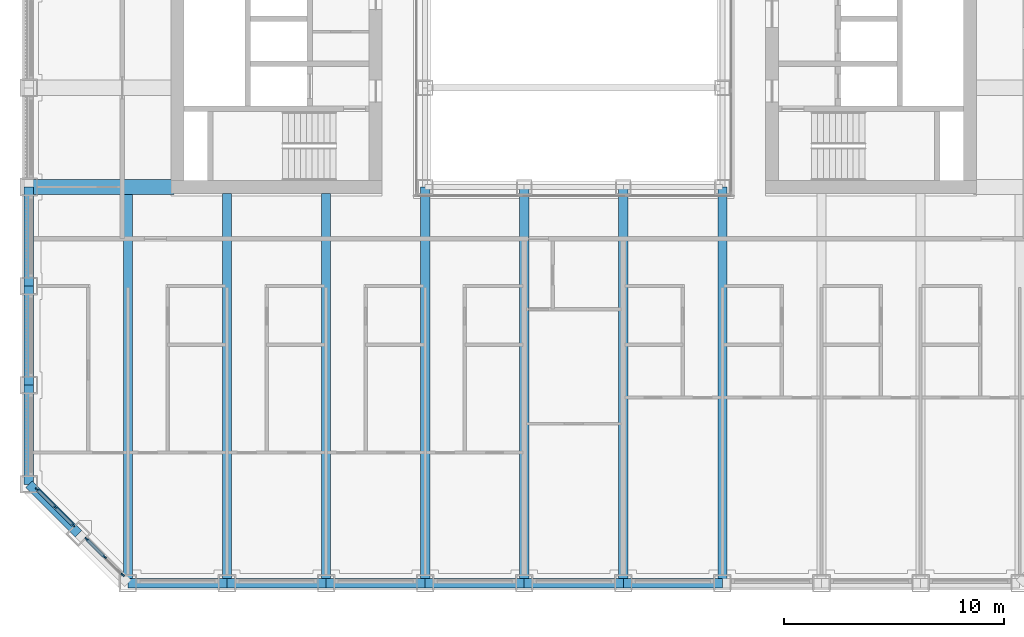
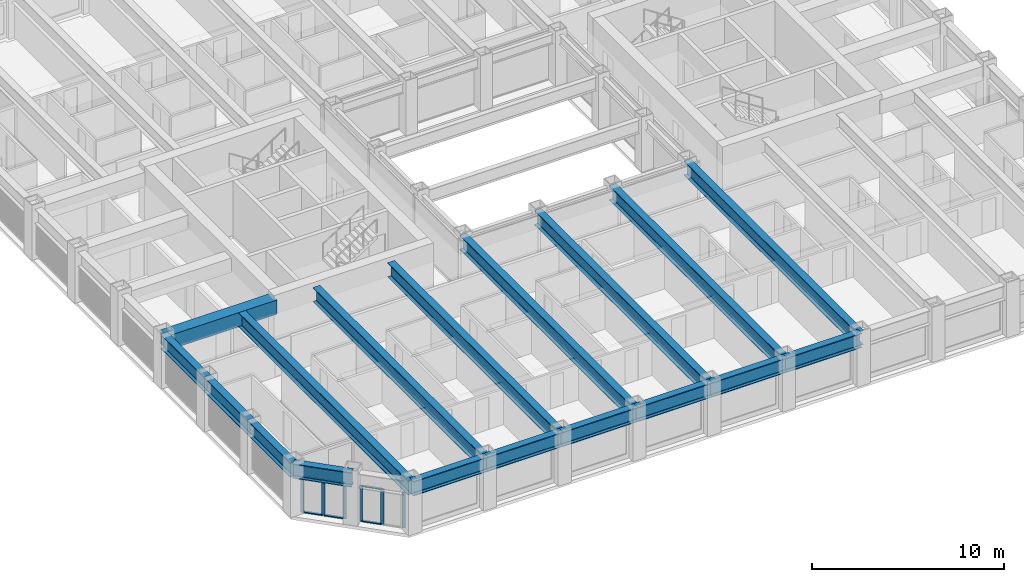
# One storey, part 2 of 21: 18 beams, 12 members, 2 elements without a shape of their own.
"""IFC4 building model written with IfcOpenShell, lengths in metres."""

from ifc_helpers import new_model, si_unit, direction, frame, origin, origin_2d, place, context, subcontext, project, spatial, rectangle, hollow_rectangle, i_section, extrude, material, material_profile, profile_set, type_object, element, aggregate, save


model = new_model("IFC4")

# Units and contexts
model_context = context("Model", 3, precision=1e-05, world=origin(), true_north=direction((0.0, 1.0)))
body_context = subcontext(model_context, "Body", "Model", "MODEL_VIEW")
ifc_project = project(units=[si_unit("LENGTHUNIT", "METRE"), si_unit("AREAUNIT", "SQUARE_METRE"), si_unit("VOLUMEUNIT", "CUBIC_METRE"), si_unit("PLANEANGLEUNIT", "RADIAN"), si_unit("MASSUNIT", "GRAM", prefix="KILO")], contexts=[model_context])

# Site, building, storey
site_placement = place(None, origin())
site = spatial("IfcSite", under=ifc_project, at=site_placement, CompositionType="ELEMENT")
building_placement = place(site_placement, origin())
building = spatial("IfcBuilding", under=site, at=building_placement, Name="Msasa Ring Tower", CompositionType="ELEMENT")
storey_placement = place(building_placement, frame((0.0, 0.0, 103.5)))
storey = spatial("IfcBuildingStorey", under=building, at=storey_placement, Name="L27", CompositionType="ELEMENT", Elevation=103.5)

# Curtain wall, members
ifc_material_1 = material(Name="Aluminium curtain wall with clear glass", Category="aluminium")
curtain_wall_type = type_object("IfcCurtainWallType", Name="CW-C CHAMFER CORNER CURTAIN WALL", PredefinedType="NOTDEFINED", material=ifc_material_1)
curtain_wall_1_placement = place(storey_placement, origin())
curtain_wall_1 = element("IfcCurtainWall", 1, at=curtain_wall_1_placement, inside=storey, type_object=curtain_wall_type, Name="Chamfer corner curtain wall SW L27", PredefinedType="NOTDEFINED")
ifc_material_2 = material(Name="Aluminium mullion", Category="aluminium")
ifc_material_profile_1 = material_profile(ifc_material_2, rectangle(XDim=0.06494140625, YDim=0.179931640625, at=origin_2d()), Name="AL 65x180")
ifc_profile_set_1 = profile_set([ifc_material_profile_1], Name="Aluminium mullion")
member_type_1 = type_object("IfcMemberType", Name="CW-C MULLION 65x180", PredefinedType="MULLION", material=ifc_profile_set_1)
member_1_placement = place(storey_placement, frame((-24.369873046875, -20.48876953125, 0.0), z_axis=(0.0, 0.0, 1.0), x_axis=(0.707106781187, 0.707106781187, 0.0)))
member_1 = element("IfcMember", 2, at=member_1_placement, type_object=member_type_1, Name="CW-C mullion 1", PredefinedType="MULLION", context=body_context, shape_type="SweptSolid", body=[
    extrude(rectangle(XDim=0.06494140625, YDim=0.179931640625, at=origin_2d()), origin(), (0.0, 0.0, 1.0), 2.279052734375),
])
member_2_placement = place(storey_placement, frame((-23.55419921875, -21.30419921875, 0.0), z_axis=(0.0, 0.0, 1.0), x_axis=(0.707106781187, 0.707106781187, 0.0)))
member_2 = element("IfcMember", 3, at=member_2_placement, type_object=member_type_1, Name="CW-C mullion 2", PredefinedType="MULLION", context=body_context, shape_type="SweptSolid", body=[
    extrude(rectangle(XDim=0.06494140625, YDim=0.179931640625, at=origin_2d()), origin(), (0.0, 0.0, 1.0), 2.279052734375),
])
member_3_placement = place(storey_placement, frame((-22.73876953125, -22.119873046875, 0.0), z_axis=(0.0, 0.0, 1.0), x_axis=(0.707106781187, 0.707106781187, 0.0)))
member_3 = element("IfcMember", 4, at=member_3_placement, type_object=member_type_1, Name="CW-C mullion 3", PredefinedType="MULLION", context=body_context, shape_type="SweptSolid", body=[
    extrude(rectangle(XDim=0.06494140625, YDim=0.179931640625, at=origin_2d()), origin(), (0.0, 0.0, 1.0), 2.279052734375),
])

curtain_wall_2_placement = place(storey_placement, origin())
curtain_wall_2 = element("IfcCurtainWall", 5, at=curtain_wall_2_placement, inside=storey, type_object=curtain_wall_type, Name="Chamfer corner curtain wall SW L27", PredefinedType="NOTDEFINED")
member_4_placement = place(storey_placement, frame((-22.119873046875, -22.73876953125, 0.0), z_axis=(0.0, 0.0, 1.0), x_axis=(0.707106781187, 0.707106781187, 0.0)))
member_4 = element("IfcMember", 6, at=member_4_placement, type_object=member_type_1, Name="CW-C mullion 1", PredefinedType="MULLION", context=body_context, shape_type="SweptSolid", body=[
    extrude(rectangle(XDim=0.06494140625, YDim=0.179931640625, at=origin_2d()), origin(), (0.0, 0.0, 1.0), 2.279052734375),
])
member_5_placement = place(storey_placement, frame((-21.30419921875, -23.55419921875, 0.0), z_axis=(0.0, 0.0, 1.0), x_axis=(0.707106781187, 0.707106781187, 0.0)))
member_5 = element("IfcMember", 7, at=member_5_placement, type_object=member_type_1, Name="CW-C mullion 2", PredefinedType="MULLION", context=body_context, shape_type="SweptSolid", body=[
    extrude(rectangle(XDim=0.06494140625, YDim=0.179931640625, at=origin_2d()), origin(), (0.0, 0.0, 1.0), 2.279052734375),
])
member_6_placement = place(storey_placement, frame((-20.48876953125, -24.369873046875, 0.0), z_axis=(0.0, 0.0, 1.0), x_axis=(0.707106781187, 0.707106781187, 0.0)))
member_6 = element("IfcMember", 8, at=member_6_placement, type_object=member_type_1, Name="CW-C mullion 3", PredefinedType="MULLION", context=body_context, shape_type="SweptSolid", body=[
    extrude(rectangle(XDim=0.06494140625, YDim=0.179931640625, at=origin_2d()), origin(), (0.0, 0.0, 1.0), 2.279052734375),
])

# Member
ifc_material_3 = material(Name="Aluminium transom", Category="aluminium")
ifc_material_profile_2 = material_profile(ifc_material_3, rectangle(XDim=0.139892578125, YDim=0.06494140625, at=origin_2d()), Name="AL 65x140")
ifc_profile_set_2 = profile_set([ifc_material_profile_2], Name="Aluminium transom")
member_type_2 = type_object("IfcMemberType", Name="CW-C TRANSOM 65x140", PredefinedType="USERDEFINED", material=ifc_profile_set_2)
member_7_placement = place(storey_placement, frame((-24.346923828125, -20.51171875, 0.032470703125), z_axis=(0.707106781187, -0.707106781187, 0.0), x_axis=(0.707106781187, 0.707106781187, 0.0)))
member_7 = element("IfcMember", 9, at=member_7_placement, type_object=member_type_2, Name="CW-C transom 1.1", ObjectType="TRANSOM", PredefinedType="USERDEFINED", context=body_context, shape_type="SweptSolid", body=[
    extrude(rectangle(XDim=0.139892578125, YDim=0.06494140625, at=origin_2d()), origin(), (0.0, 0.0, 1.0), 1.08837890625),
])

member_8_placement = place(storey_placement, frame((-24.346923828125, -20.51171875, 2.24658203125), z_axis=(0.707106781187, -0.707106781187, 0.0), x_axis=(0.707106781187, 0.707106781187, 0.0)))
member_8 = element("IfcMember", 10, at=member_8_placement, type_object=member_type_2, Name="CW-C transom 1.2", ObjectType="TRANSOM", PredefinedType="USERDEFINED", context=body_context, shape_type="SweptSolid", body=[
    extrude(rectangle(XDim=0.139892578125, YDim=0.06494140625, at=origin_2d()), origin(), (0.0, 0.0, 1.0), 1.08837890625),
])

member_9_placement = place(storey_placement, frame((-23.53125, -21.327392578125, 0.032470703125), z_axis=(0.707106781187, -0.707106781187, 0.0), x_axis=(0.707106781187, 0.707106781187, 0.0)))
member_9 = element("IfcMember", 11, at=member_9_placement, type_object=member_type_2, Name="CW-C transom 2.1", ObjectType="TRANSOM", PredefinedType="USERDEFINED", context=body_context, shape_type="SweptSolid", body=[
    extrude(rectangle(XDim=0.139892578125, YDim=0.06494140625, at=origin_2d()), origin(), (0.0, 0.0, 1.0), 1.08837890625),
])

member_10_placement = place(storey_placement, frame((-23.53125, -21.327392578125, 2.24658203125), z_axis=(0.707106781187, -0.707106781187, 0.0), x_axis=(0.707106781187, 0.707106781187, 0.0)))
member_10 = element("IfcMember", 12, at=member_10_placement, type_object=member_type_2, Name="CW-C transom 2.2", ObjectType="TRANSOM", PredefinedType="USERDEFINED", context=body_context, shape_type="SweptSolid", body=[
    extrude(rectangle(XDim=0.139892578125, YDim=0.06494140625, at=origin_2d()), origin(), (0.0, 0.0, 1.0), 1.08837890625),
])

aggregate(curtain_wall_1, [member_1, member_2, member_3, member_7, member_8, member_9, member_10])

member_11_placement = place(storey_placement, frame((-22.096923828125, -22.76171875, 0.032470703125), z_axis=(0.707106781187, -0.707106781187, 0.0), x_axis=(0.707106781187, 0.707106781187, 0.0)))
member_11 = element("IfcMember", 13, at=member_11_placement, type_object=member_type_2, Name="CW-C transom 1.1", ObjectType="TRANSOM", PredefinedType="USERDEFINED", context=body_context, shape_type="SweptSolid", body=[
    extrude(rectangle(XDim=0.139892578125, YDim=0.06494140625, at=origin_2d()), origin(), (0.0, 0.0, 1.0), 1.08837890625),
])

member_12_placement = place(storey_placement, frame((-22.096923828125, -22.76171875, 2.24658203125), z_axis=(0.707106781187, -0.707106781187, 0.0), x_axis=(0.707106781187, 0.707106781187, 0.0)))
member_12 = element("IfcMember", 14, at=member_12_placement, type_object=member_type_2, Name="CW-C transom 1.2", ObjectType="TRANSOM", PredefinedType="USERDEFINED", context=body_context, shape_type="SweptSolid", body=[
    extrude(rectangle(XDim=0.139892578125, YDim=0.06494140625, at=origin_2d()), origin(), (0.0, 0.0, 1.0), 1.08837890625),
])

aggregate(curtain_wall_2, [member_4, member_5, member_6, member_11, member_12])

# Beams
ifc_material_4 = material(Name="Steel S355", Category="steel")
ifc_material_profile_3 = material_profile(ifc_material_4, i_section(OverallWidth=0.42041015625, OverallDepth=0.9208984375, WebThickness=0.021484375, FlangeThickness=0.03662109375, FilletRadius=0.024169921875, at=origin_2d()), Name="UB 914x419x388")
ifc_profile_set_3 = profile_set([ifc_material_profile_3], Name="Steel S355")
beam_type_1 = type_object("IfcBeamType", Name="FB2 UB 914x419x388", PredefinedType="BEAM", material=ifc_profile_set_3)
beam_1_placement = place(storey_placement, frame((-20.25, -24.75, 2.739501953125), z_axis=(0.0, 1.0, 0.0), x_axis=(-1.0, 0.0, 0.0)))
element("IfcBeam", 15, at=beam_1_placement, inside=storey, type_object=beam_type_1, Name="Floor beam S-20.25 under L28", PredefinedType="BEAM", context=body_context, shape_type="SweptSolid", body=[
    extrude(i_section(OverallWidth=0.42041015625, OverallDepth=0.9208984375, WebThickness=0.021484375, FlangeThickness=0.03662109375, FilletRadius=0.024169921875, at=origin_2d()), origin(), (0.0, 0.0, 1.0), 17.64990234375),
])
for number, where, z_axis, x_axis, name in (
    (16, (-15.75, -24.75, 2.739501953125), (0.0, 1.0, 0.0), (-1.0, 0.0, 0.0), "Floor beam S-15.75 under L28"),
    (17, (-11.25, -24.75, 2.739501953125), (0.0, 1.0, 0.0), (-1.0, 0.0, 0.0), "Floor beam S-11.25 under L28"),
):
    element("IfcBeam", number, at=place(storey_placement, frame(where, z_axis=z_axis, x_axis=x_axis)), inside=storey, type_object=beam_type_1, Name=name, PredefinedType="BEAM", context=body_context, shape_type="SweptSolid", body=[
        extrude(i_section(OverallWidth=0.42041015625, OverallDepth=0.9208984375, WebThickness=0.021484375, FlangeThickness=0.03662109375, FilletRadius=0.024169921875, at=origin_2d()), origin(), (0.0, 0.0, 1.0), 17.699951171875),
    ])
for number, where, z_axis, x_axis, name in (
    (18, (-6.75, -24.75, 2.739501953125), (0.0, 1.0, 0.0), (-1.0, 0.0, 0.0), "Floor beam S-6.75 under L28"),
    (19, (-2.25, -24.75, 2.739501953125), (0.0, 1.0, 0.0), (-1.0, 0.0, 0.0), "Floor beam S-2.25 under L28"),
    (20, (2.25, -24.75, 2.739501953125), (0.0, 1.0, 0.0), (-1.0, 0.0, 0.0), "Floor beam S+2.25 under L28"),
    (21, (6.75, -24.75, 2.739501953125), (0.0, 1.0, 0.0), (-1.0, 0.0, 0.0), "Floor beam S+6.75 under L28"),
):
    element("IfcBeam", number, at=place(storey_placement, frame(where, z_axis=z_axis, x_axis=x_axis)), inside=storey, type_object=beam_type_1, Name=name, PredefinedType="BEAM", context=body_context, shape_type="SweptSolid", body=[
        extrude(i_section(OverallWidth=0.42041015625, OverallDepth=0.9208984375, WebThickness=0.021484375, FlangeThickness=0.03662109375, FilletRadius=0.024169921875, at=origin_2d()), origin(), (0.0, 0.0, 1.0), 18.0),
    ])
ifc_material_5 = material(Name="Steel S355", Category="steel")
ifc_material_profile_4 = material_profile(ifc_material_5, hollow_rectangle(XDim=0.699951171875, YDim=0.89990234375, WallThickness=0.080078125, at=origin_2d()), Name="BOX 900x700x80")
ifc_profile_set_4 = profile_set([ifc_material_profile_4], Name="Steel S355")
beam_type_2 = type_object("IfcBeamType", Name="GB2 BOX 900x700x80", PredefinedType="BEAM", material=ifc_profile_set_4)
beam_2_placement = place(storey_placement, frame((-18.14990234375, -6.75, 2.75), z_axis=(-1.0, 0.0, 0.0), x_axis=(0.0, -1.0, 0.0)))
element("IfcBeam", 22, at=beam_2_placement, inside=storey, type_object=beam_type_2, Name="Girder W -6.75 under L28", PredefinedType="BEAM", context=body_context, shape_type="SweptSolid", body=[
    extrude(hollow_rectangle(XDim=0.699951171875, YDim=0.89990234375, WallThickness=0.080078125, at=origin_2d()), origin(), (0.0, 0.0, 1.0), 6.60009765625),
])
ifc_material_6 = material(Name="Steel S355", Category="steel")
ifc_material_profile_5 = material_profile(ifc_material_6, i_section(OverallWidth=0.42041015625, OverallDepth=0.9208984375, WebThickness=0.021484375, FlangeThickness=0.03662109375, FilletRadius=0.024169921875, at=origin_2d()), Name="UB 914x419x388")
ifc_profile_set_5 = profile_set([ifc_material_profile_5], Name="Steel S355")
beam_type_3 = type_object("IfcBeamType", Name="SB1 UB 914x419x388", PredefinedType="SPANDREL", material=ifc_profile_set_5)
for number, where, z_axis, x_axis, name in (
    (23, (-24.75, -6.75, 2.739501953125), (0.0, -1.0, 0.0), (1.0, 0.0, 0.0), "Spandrel W-6.75 to W-11.25 under L28"),
    (24, (-24.75, -11.25, 2.739501953125), (0.0, -1.0, 0.0), (1.0, 0.0, 0.0), "Spandrel W-11.25 to W-15.75 under L28"),
    (25, (-24.75, -15.75, 2.739501953125), (0.0, -1.0, 0.0), (1.0, 0.0, 0.0), "Spandrel W-15.75 to W-20.25 under L28"),
):
    element("IfcBeam", number, at=place(storey_placement, frame(where, z_axis=z_axis, x_axis=x_axis)), inside=storey, type_object=beam_type_3, Name=name, PredefinedType="SPANDREL", context=body_context, shape_type="SweptSolid", body=[
        extrude(i_section(OverallWidth=0.42041015625, OverallDepth=0.9208984375, WebThickness=0.021484375, FlangeThickness=0.03662109375, FilletRadius=0.024169921875, at=origin_2d()), origin(), (0.0, 0.0, 1.0), 4.5),
    ])
beam_3_placement = place(storey_placement, frame((-24.75, -20.25, 2.739501953125), z_axis=(0.707106781187, -0.707106781187, 0.0), x_axis=(0.707106781187, 0.707106781187, 0.0)))
element("IfcBeam", 26, at=beam_3_placement, inside=storey, type_object=beam_type_3, Name="Spandrel W-20.25 to SW under L28", PredefinedType="SPANDREL", context=body_context, shape_type="SweptSolid", body=[
    extrude(i_section(OverallWidth=0.42041015625, OverallDepth=0.9208984375, WebThickness=0.021484375, FlangeThickness=0.03662109375, FilletRadius=0.024169921875, at=origin_2d()), origin(), (0.0, 0.0, 1.0), 3.181884765625),
])
for number, where, z_axis, x_axis, name in (
    (27, (-20.25, -24.75, 2.739501953125), (1.0, 0.0, 0.0), (0.0, 1.0, 0.0), "Spandrel S-20.25 to S-15.75 under L28"),
    (28, (-15.75, -24.75, 2.739501953125), (1.0, 0.0, 0.0), (0.0, 1.0, 0.0), "Spandrel S-15.75 to S-11.25 under L28"),
    (29, (-11.25, -24.75, 2.739501953125), (1.0, 0.0, 0.0), (0.0, 1.0, 0.0), "Spandrel S-11.25 to S-6.75 under L28"),
    (30, (-6.75, -24.75, 2.739501953125), (1.0, 0.0, 0.0), (0.0, 1.0, 0.0), "Spandrel S-6.75 to S-2.25 under L28"),
    (31, (-2.25, -24.75, 2.739501953125), (1.0, 0.0, 0.0), (0.0, 1.0, 0.0), "Spandrel S-2.25 to S+2.25 under L28"),
    (32, (2.25, -24.75, 2.739501953125), (1.0, 0.0, 0.0), (0.0, 1.0, 0.0), "Spandrel S+2.25 to S+6.75 under L28"),
):
    element("IfcBeam", number, at=place(storey_placement, frame(where, z_axis=z_axis, x_axis=x_axis)), inside=storey, type_object=beam_type_3, Name=name, PredefinedType="SPANDREL", context=body_context, shape_type="SweptSolid", body=[
        extrude(i_section(OverallWidth=0.42041015625, OverallDepth=0.9208984375, WebThickness=0.021484375, FlangeThickness=0.03662109375, FilletRadius=0.024169921875, at=origin_2d()), origin(), (0.0, 0.0, 1.0), 4.5),
    ])

save(model, "model.ifc")
